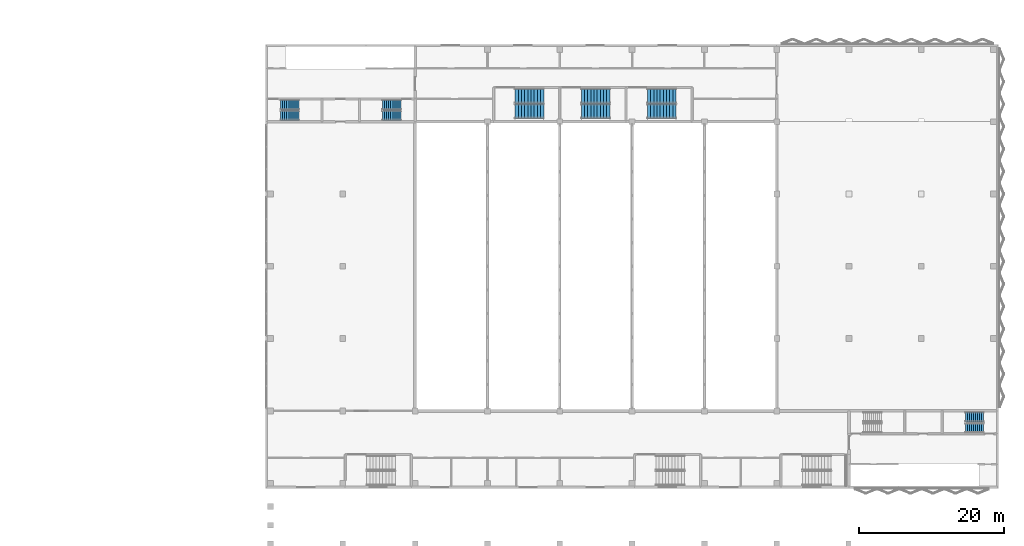
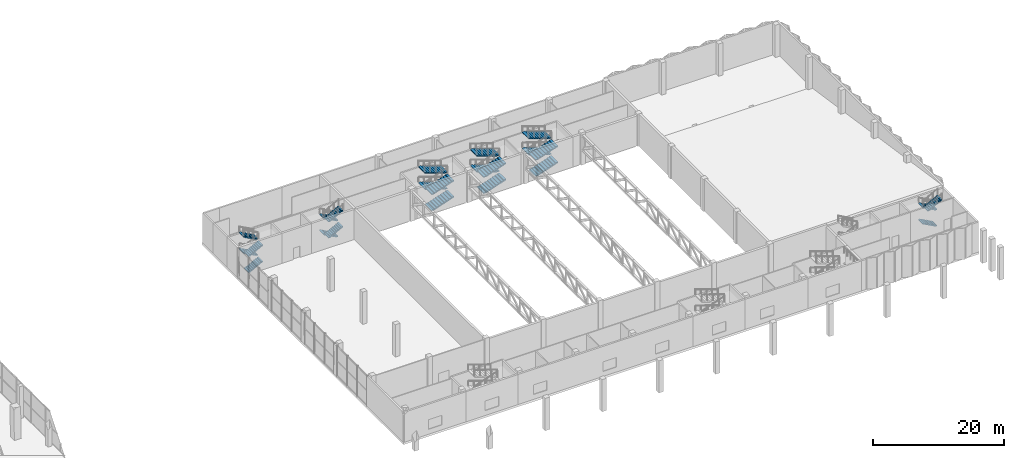
# One storey, part 38 of 51: 23 stair flights, 6 elements without a shape of their own.
"""IFC4 building model written with IfcOpenShell, lengths in metres."""

from ifc_helpers import new_model, si_unit, direction, frame, origin, place, context, subcontext, project, spatial, polyline, outline, extrude, material, type_object, element, aggregate, save


model = new_model("IFC4")

# Units and contexts
model_context = context("Model", 3, precision=1e-05, world=origin(), true_north=direction((0.0, 1.0)))
body_context = subcontext(model_context, "Body", "Model", "MODEL_VIEW")
ifc_project = project(units=[si_unit("LENGTHUNIT", "METRE"), si_unit("AREAUNIT", "SQUARE_METRE"), si_unit("VOLUMEUNIT", "CUBIC_METRE"), si_unit("PLANEANGLEUNIT", "RADIAN"), si_unit("MASSUNIT", "GRAM", prefix="KILO")], contexts=[model_context])

# Site, building, storey
site_placement = place(None, origin())
site = spatial("IfcSite", under=ifc_project, at=site_placement, CompositionType="ELEMENT")
building_placement = place(site_placement, origin())
building = spatial("IfcBuilding", under=site, at=building_placement, Name="Jabali Bay Hotel Tower and Convention Centre", CompositionType="ELEMENT")
storey_placement = place(building_placement, frame((0.0, 0.0, 9.0)))
storey = spatial("IfcBuildingStorey", under=building, at=storey_placement, Name="L01", CompositionType="ELEMENT", Elevation=9.0)

# Stair, stair flights
ifc_material = material(Name="Concrete C40", Category="concrete")
stair_type = type_object("IfcStairType", Name="CC Dogleg Stair 1350", PredefinedType="HALF_TURN_STAIR", material=ifc_material)
stair_1_placement = place(storey_placement, origin())
stair_1 = element("IfcStair", 1, at=stair_1_placement, inside=storey, type_object=stair_type, Name="L01 West stair A", PredefinedType="HALF_TURN_STAIR")
stair_flight_type = type_object("IfcStairFlightType", Name="CC Stair Flight 1350", PredefinedType="STRAIGHT", material=ifc_material)
stair_flight_1_placement = place(storey_placement, frame((152.10009765625, 100.85009765625, 0.0), z_axis=(0.0, 0.0, 1.0), x_axis=(1.0, 0.0, 0.0)))
stair_flight_1 = element("IfcStairFlight", 2, at=stair_flight_1_placement, type_object=stair_flight_type, Name="CC-STWA flight 1", NumberOfRisers=10, NumberOfTreads=9, PredefinedType="STRAIGHT", RiserHeight=0.15, TreadLength=0.28, context=body_context, shape_type="SweptSolid", body=[
    extrude(outline(polyline([(0.0, 0.0), (0.0, 0.14990234375), (0.280029296875, 0.14990234375), (0.280029296875, 0.300048828125), (0.56005859375, 0.300048828125), (0.56005859375, 0.449951171875), (0.840087890625, 0.449951171875), (0.840087890625, 0.60009765625), (1.1201171875, 0.60009765625), (1.1201171875, 0.75), (1.39990234375, 0.75), (1.39990234375, 0.89990234375), (1.679931640625, 0.89990234375), (1.679931640625, 1.050048828125), (1.9599609375, 1.050048828125), (1.9599609375, 1.199951171875), (2.239990234375, 1.199951171875), (2.239990234375, 1.35009765625), (2.52001953125, 1.35009765625), (2.52001953125, 1.5), (2.52001953125, 1.179931640625), (0.3173828125, 0.0), (0.0, 0.0)])), frame((0.0, 0.675048828125, 0.0), z_axis=(0.0, -1.0, 0.0), x_axis=(1.0, 0.0, 0.0)), (0.0, 0.0, 1.0), 1.35009765625),
])
stair_flight_2_placement = place(storey_placement, frame((154.6201171875, 102.35009765625, 1.5), z_axis=(0.0, 0.0, 1.0), x_axis=(-1.0, 0.0, 0.0)))
stair_flight_2 = element("IfcStairFlight", 3, at=stair_flight_2_placement, type_object=stair_flight_type, Name="CC-STWA flight 2", NumberOfRisers=10, NumberOfTreads=9, PredefinedType="STRAIGHT", RiserHeight=0.15, TreadLength=0.28, context=body_context, shape_type="SweptSolid", body=[
    extrude(outline(polyline([(0.0, 0.0), (0.0, 0.14990234375), (0.280029296875, 0.14990234375), (0.280029296875, 0.300048828125), (0.56005859375, 0.300048828125), (0.56005859375, 0.449951171875), (0.840087890625, 0.449951171875), (0.840087890625, 0.60009765625), (1.1201171875, 0.60009765625), (1.1201171875, 0.75), (1.39990234375, 0.75), (1.39990234375, 0.89990234375), (1.679931640625, 0.89990234375), (1.679931640625, 1.050048828125), (1.9599609375, 1.050048828125), (1.9599609375, 1.199951171875), (2.239990234375, 1.199951171875), (2.239990234375, 1.35009765625), (2.52001953125, 1.35009765625), (2.52001953125, 1.5), (2.52001953125, 1.179931640625), (0.3173828125, 0.0), (0.0, 0.0)])), frame((0.0, 0.675048828125, 0.0), z_axis=(0.0, -1.0, 0.0), x_axis=(1.0, 0.0, 0.0)), (0.0, 0.0, 1.0), 1.35009765625),
])
stair_flight_3_placement = place(storey_placement, frame((152.10009765625, 100.85009765625, 3.0), z_axis=(0.0, 0.0, 1.0), x_axis=(1.0, 0.0, 0.0)))
stair_flight_3 = element("IfcStairFlight", 4, at=stair_flight_3_placement, type_object=stair_flight_type, Name="CC-STWA flight 3", NumberOfRisers=10, NumberOfTreads=9, PredefinedType="STRAIGHT", RiserHeight=0.15, TreadLength=0.28, context=body_context, shape_type="SweptSolid", body=[
    extrude(outline(polyline([(0.0, 0.0), (0.0, 0.14990234375), (0.280029296875, 0.14990234375), (0.280029296875, 0.300048828125), (0.56005859375, 0.300048828125), (0.56005859375, 0.449951171875), (0.840087890625, 0.449951171875), (0.840087890625, 0.60009765625), (1.1201171875, 0.60009765625), (1.1201171875, 0.75), (1.39990234375, 0.75), (1.39990234375, 0.89990234375), (1.679931640625, 0.89990234375), (1.679931640625, 1.050048828125), (1.9599609375, 1.050048828125), (1.9599609375, 1.199951171875), (2.239990234375, 1.199951171875), (2.239990234375, 1.35009765625), (2.52001953125, 1.35009765625), (2.52001953125, 1.5), (2.52001953125, 1.179931640625), (0.3173828125, 0.0), (0.0, 0.0)])), frame((0.0, 0.675048828125, 0.0), z_axis=(0.0, -1.0, 0.0), x_axis=(1.0, 0.0, 0.0)), (0.0, 0.0, 1.0), 1.35009765625),
])
stair_flight_4_placement = place(storey_placement, frame((154.6201171875, 102.35009765625, 4.5), z_axis=(0.0, 0.0, 1.0), x_axis=(-1.0, 0.0, 0.0)))
stair_flight_4 = element("IfcStairFlight", 5, at=stair_flight_4_placement, type_object=stair_flight_type, Name="CC-STWA flight 4", NumberOfRisers=10, NumberOfTreads=9, PredefinedType="STRAIGHT", RiserHeight=0.15, TreadLength=0.28, context=body_context, shape_type="SweptSolid", body=[
    extrude(outline(polyline([(0.0, 0.0), (0.0, 0.14990234375), (0.280029296875, 0.14990234375), (0.280029296875, 0.300048828125), (0.56005859375, 0.300048828125), (0.56005859375, 0.449951171875), (0.840087890625, 0.449951171875), (0.840087890625, 0.60009765625), (1.1201171875, 0.60009765625), (1.1201171875, 0.75), (1.39990234375, 0.75), (1.39990234375, 0.89990234375), (1.679931640625, 0.89990234375), (1.679931640625, 1.050048828125), (1.9599609375, 1.050048828125), (1.9599609375, 1.199951171875), (2.239990234375, 1.199951171875), (2.239990234375, 1.35009765625), (2.52001953125, 1.35009765625), (2.52001953125, 1.5), (2.52001953125, 1.179931640625), (0.3173828125, 0.0), (0.0, 0.0)])), frame((0.0, 0.675048828125, 0.0), z_axis=(0.0, -1.0, 0.0), x_axis=(1.0, 0.0, 0.0)), (0.0, 0.0, 1.0), 1.35009765625),
])
aggregate(stair_1, [stair_flight_1, stair_flight_2, stair_flight_3, stair_flight_4])

stair_2_placement = place(storey_placement, origin())
stair_2 = element("IfcStair", 6, at=stair_2_placement, inside=storey, type_object=stair_type, Name="L01 West stair B", PredefinedType="HALF_TURN_STAIR")
stair_flight_5_placement = place(storey_placement, frame((168.72509765625, 102.35009765625, 0.0), z_axis=(0.0, 0.0, 1.0), x_axis=(-1.0, 0.0, 0.0)))
stair_flight_5 = element("IfcStairFlight", 7, at=stair_flight_5_placement, type_object=stair_flight_type, Name="CC-STWB flight 1", NumberOfRisers=10, NumberOfTreads=9, PredefinedType="STRAIGHT", RiserHeight=0.15, TreadLength=0.28, context=body_context, shape_type="SweptSolid", body=[
    extrude(outline(polyline([(0.0, 0.0), (0.0, 0.14990234375), (0.280029296875, 0.14990234375), (0.280029296875, 0.300048828125), (0.56005859375, 0.300048828125), (0.56005859375, 0.449951171875), (0.840087890625, 0.449951171875), (0.840087890625, 0.60009765625), (1.1201171875, 0.60009765625), (1.1201171875, 0.75), (1.39990234375, 0.75), (1.39990234375, 0.89990234375), (1.679931640625, 0.89990234375), (1.679931640625, 1.050048828125), (1.9599609375, 1.050048828125), (1.9599609375, 1.199951171875), (2.239990234375, 1.199951171875), (2.239990234375, 1.35009765625), (2.52001953125, 1.35009765625), (2.52001953125, 1.5), (2.52001953125, 1.179931640625), (0.3173828125, 0.0), (0.0, 0.0)])), frame((0.0, 0.675048828125, 0.0), z_axis=(0.0, -1.0, 0.0), x_axis=(1.0, 0.0, 0.0)), (0.0, 0.0, 1.0), 1.35009765625),
])
stair_flight_6_placement = place(storey_placement, frame((166.205078125, 100.85009765625, 1.5), z_axis=(0.0, 0.0, 1.0), x_axis=(1.0, 0.0, 0.0)))
stair_flight_6 = element("IfcStairFlight", 8, at=stair_flight_6_placement, type_object=stair_flight_type, Name="CC-STWB flight 2", NumberOfRisers=10, NumberOfTreads=9, PredefinedType="STRAIGHT", RiserHeight=0.15, TreadLength=0.28, context=body_context, shape_type="SweptSolid", body=[
    extrude(outline(polyline([(0.0, 0.0), (0.0, 0.14990234375), (0.280029296875, 0.14990234375), (0.280029296875, 0.300048828125), (0.56005859375, 0.300048828125), (0.56005859375, 0.449951171875), (0.840087890625, 0.449951171875), (0.840087890625, 0.60009765625), (1.1201171875, 0.60009765625), (1.1201171875, 0.75), (1.39990234375, 0.75), (1.39990234375, 0.89990234375), (1.679931640625, 0.89990234375), (1.679931640625, 1.050048828125), (1.9599609375, 1.050048828125), (1.9599609375, 1.199951171875), (2.239990234375, 1.199951171875), (2.239990234375, 1.35009765625), (2.52001953125, 1.35009765625), (2.52001953125, 1.5), (2.52001953125, 1.179931640625), (0.3173828125, 0.0), (0.0, 0.0)])), frame((0.0, 0.675048828125, 0.0), z_axis=(0.0, -1.0, 0.0), x_axis=(1.0, 0.0, 0.0)), (0.0, 0.0, 1.0), 1.35009765625),
])
stair_flight_7_placement = place(storey_placement, frame((168.72509765625, 102.35009765625, 3.0), z_axis=(0.0, 0.0, 1.0), x_axis=(-1.0, 0.0, 0.0)))
stair_flight_7 = element("IfcStairFlight", 9, at=stair_flight_7_placement, type_object=stair_flight_type, Name="CC-STWB flight 3", NumberOfRisers=10, NumberOfTreads=9, PredefinedType="STRAIGHT", RiserHeight=0.15, TreadLength=0.28, context=body_context, shape_type="SweptSolid", body=[
    extrude(outline(polyline([(0.0, 0.0), (0.0, 0.14990234375), (0.280029296875, 0.14990234375), (0.280029296875, 0.300048828125), (0.56005859375, 0.300048828125), (0.56005859375, 0.449951171875), (0.840087890625, 0.449951171875), (0.840087890625, 0.60009765625), (1.1201171875, 0.60009765625), (1.1201171875, 0.75), (1.39990234375, 0.75), (1.39990234375, 0.89990234375), (1.679931640625, 0.89990234375), (1.679931640625, 1.050048828125), (1.9599609375, 1.050048828125), (1.9599609375, 1.199951171875), (2.239990234375, 1.199951171875), (2.239990234375, 1.35009765625), (2.52001953125, 1.35009765625), (2.52001953125, 1.5), (2.52001953125, 1.179931640625), (0.3173828125, 0.0), (0.0, 0.0)])), frame((0.0, 0.675048828125, 0.0), z_axis=(0.0, -1.0, 0.0), x_axis=(1.0, 0.0, 0.0)), (0.0, 0.0, 1.0), 1.35009765625),
])
stair_flight_8_placement = place(storey_placement, frame((166.205078125, 100.85009765625, 4.5), z_axis=(0.0, 0.0, 1.0), x_axis=(1.0, 0.0, 0.0)))
stair_flight_8 = element("IfcStairFlight", 10, at=stair_flight_8_placement, type_object=stair_flight_type, Name="CC-STWB flight 4", NumberOfRisers=10, NumberOfTreads=9, PredefinedType="STRAIGHT", RiserHeight=0.15, TreadLength=0.28, context=body_context, shape_type="SweptSolid", body=[
    extrude(outline(polyline([(0.0, 0.0), (0.0, 0.14990234375), (0.280029296875, 0.14990234375), (0.280029296875, 0.300048828125), (0.56005859375, 0.300048828125), (0.56005859375, 0.449951171875), (0.840087890625, 0.449951171875), (0.840087890625, 0.60009765625), (1.1201171875, 0.60009765625), (1.1201171875, 0.75), (1.39990234375, 0.75), (1.39990234375, 0.89990234375), (1.679931640625, 0.89990234375), (1.679931640625, 1.050048828125), (1.9599609375, 1.050048828125), (1.9599609375, 1.199951171875), (2.239990234375, 1.199951171875), (2.239990234375, 1.35009765625), (2.52001953125, 1.35009765625), (2.52001953125, 1.5), (2.52001953125, 1.179931640625), (0.3173828125, 0.0), (0.0, 0.0)])), frame((0.0, 0.675048828125, 0.0), z_axis=(0.0, -1.0, 0.0), x_axis=(1.0, 0.0, 0.0)), (0.0, 0.0, 1.0), 1.35009765625),
])
aggregate(stair_2, [stair_flight_5, stair_flight_6, stair_flight_7, stair_flight_8])

stair_3_placement = place(storey_placement, origin())
stair_3 = element("IfcStair", 11, at=stair_3_placement, inside=storey, type_object=stair_type, Name="L01 East stair A", PredefinedType="HALF_TURN_STAIR")
stair_flight_9_placement = place(storey_placement, frame((249.300048828125, 59.14990234375, 0.0), z_axis=(0.0, 0.0, 1.0), x_axis=(-1.0, 0.0, 0.0)))
stair_flight_9 = element("IfcStairFlight", 12, at=stair_flight_9_placement, type_object=stair_flight_type, Name="CC-STEA flight 1", NumberOfRisers=10, NumberOfTreads=9, PredefinedType="STRAIGHT", RiserHeight=0.15, TreadLength=0.28, context=body_context, shape_type="SweptSolid", body=[
    extrude(outline(polyline([(0.0, 0.0), (0.0, 0.14990234375), (0.280029296875, 0.14990234375), (0.280029296875, 0.300048828125), (0.56005859375, 0.300048828125), (0.56005859375, 0.449951171875), (0.840087890625, 0.449951171875), (0.840087890625, 0.60009765625), (1.1201171875, 0.60009765625), (1.1201171875, 0.75), (1.39990234375, 0.75), (1.39990234375, 0.89990234375), (1.679931640625, 0.89990234375), (1.679931640625, 1.050048828125), (1.9599609375, 1.050048828125), (1.9599609375, 1.199951171875), (2.239990234375, 1.199951171875), (2.239990234375, 1.35009765625), (2.52001953125, 1.35009765625), (2.52001953125, 1.5), (2.52001953125, 1.179931640625), (0.3173828125, 0.0), (0.0, 0.0)])), frame((0.0, 0.675048828125, 0.0), z_axis=(0.0, -1.0, 0.0), x_axis=(1.0, 0.0, 0.0)), (0.0, 0.0, 1.0), 1.35009765625),
])
stair_flight_10_placement = place(storey_placement, frame((249.300048828125, 59.14990234375, 3.0), z_axis=(0.0, 0.0, 1.0), x_axis=(-1.0, 0.0, 0.0)))
stair_flight_10 = element("IfcStairFlight", 13, at=stair_flight_10_placement, type_object=stair_flight_type, Name="CC-STEA flight 3", NumberOfRisers=10, NumberOfTreads=9, PredefinedType="STRAIGHT", RiserHeight=0.15, TreadLength=0.28, context=body_context, shape_type="SweptSolid", body=[
    extrude(outline(polyline([(0.0, 0.0), (0.0, 0.14990234375), (0.280029296875, 0.14990234375), (0.280029296875, 0.300048828125), (0.56005859375, 0.300048828125), (0.56005859375, 0.449951171875), (0.840087890625, 0.449951171875), (0.840087890625, 0.60009765625), (1.1201171875, 0.60009765625), (1.1201171875, 0.75), (1.39990234375, 0.75), (1.39990234375, 0.89990234375), (1.679931640625, 0.89990234375), (1.679931640625, 1.050048828125), (1.9599609375, 1.050048828125), (1.9599609375, 1.199951171875), (2.239990234375, 1.199951171875), (2.239990234375, 1.35009765625), (2.52001953125, 1.35009765625), (2.52001953125, 1.5), (2.52001953125, 1.179931640625), (0.3173828125, 0.0), (0.0, 0.0)])), frame((0.0, 0.675048828125, 0.0), z_axis=(0.0, -1.0, 0.0), x_axis=(1.0, 0.0, 0.0)), (0.0, 0.0, 1.0), 1.35009765625),
])
stair_flight_11_placement = place(storey_placement, frame((246.780029296875, 57.64990234375, 4.5), z_axis=(0.0, 0.0, 1.0), x_axis=(1.0, 0.0, 0.0)))
stair_flight_11 = element("IfcStairFlight", 14, at=stair_flight_11_placement, type_object=stair_flight_type, Name="CC-STEA flight 4", NumberOfRisers=10, NumberOfTreads=9, PredefinedType="STRAIGHT", RiserHeight=0.15, TreadLength=0.28, context=body_context, shape_type="SweptSolid", body=[
    extrude(outline(polyline([(0.0, 0.0), (0.0, 0.14990234375), (0.280029296875, 0.14990234375), (0.280029296875, 0.300048828125), (0.56005859375, 0.300048828125), (0.56005859375, 0.449951171875), (0.840087890625, 0.449951171875), (0.840087890625, 0.60009765625), (1.1201171875, 0.60009765625), (1.1201171875, 0.75), (1.39990234375, 0.75), (1.39990234375, 0.89990234375), (1.679931640625, 0.89990234375), (1.679931640625, 1.050048828125), (1.9599609375, 1.050048828125), (1.9599609375, 1.199951171875), (2.239990234375, 1.199951171875), (2.239990234375, 1.35009765625), (2.52001953125, 1.35009765625), (2.52001953125, 1.5), (2.52001953125, 1.179931640625), (0.3173828125, 0.0), (0.0, 0.0)])), frame((0.0, 0.675048828125, 0.0), z_axis=(0.0, -1.0, 0.0), x_axis=(1.0, 0.0, 0.0)), (0.0, 0.0, 1.0), 1.35009765625),
])
aggregate(stair_3, [stair_flight_9, stair_flight_10, stair_flight_11])

stair_4_placement = place(storey_placement, origin())
stair_4 = element("IfcStair", 15, at=stair_4_placement, inside=storey, type_object=stair_type, Name="L01 North Exit Stair 1", PredefinedType="HALF_TURN_STAIR")
stair_flight_12_placement = place(storey_placement, frame((184.52490234375, 101.449951171875, 0.0), z_axis=(0.0, 0.0, 1.0), x_axis=(1.0, 0.0, 0.0)))
stair_flight_12 = element("IfcStairFlight", 16, at=stair_flight_12_placement, type_object=stair_flight_type, Name="CC-STN1 flight 1", NumberOfRisers=10, NumberOfTreads=9, PredefinedType="STRAIGHT", RiserHeight=0.15, TreadLength=0.44, context=body_context, shape_type="SweptSolid", body=[
    extrude(outline(polyline([(0.0, 0.0), (0.0, 0.14990234375), (0.43994140625, 0.14990234375), (0.43994140625, 0.300048828125), (0.8798828125, 0.300048828125), (0.8798828125, 0.449951171875), (1.320068359375, 0.449951171875), (1.320068359375, 0.60009765625), (1.760009765625, 0.60009765625), (1.760009765625, 0.75), (2.199951171875, 0.75), (2.199951171875, 0.89990234375), (2.639892578125, 0.89990234375), (2.639892578125, 1.050048828125), (3.080078125, 1.050048828125), (3.080078125, 1.199951171875), (3.52001953125, 1.199951171875), (3.52001953125, 1.35009765625), (3.9599609375, 1.35009765625), (3.9599609375, 1.5), (3.9599609375, 1.191650390625), (0.464599609375, 0.0), (0.0, 0.0)])), frame((0.0, 1.0, 0.0), z_axis=(0.0, -1.0, 0.0), x_axis=(1.0, 0.0, 0.0)), (0.0, 0.0, 1.0), 2.0),
])
stair_flight_13_placement = place(storey_placement, frame((188.485107421875, 103.550048828125, 1.5), z_axis=(0.0, 0.0, 1.0), x_axis=(-1.0, 0.0, 0.0)))
stair_flight_13 = element("IfcStairFlight", 17, at=stair_flight_13_placement, type_object=stair_flight_type, Name="CC-STN1 flight 2", NumberOfRisers=10, NumberOfTreads=9, PredefinedType="STRAIGHT", RiserHeight=0.15, TreadLength=0.44, context=body_context, shape_type="SweptSolid", body=[
    extrude(outline(polyline([(0.0, 0.0), (0.0, 0.14990234375), (0.43994140625, 0.14990234375), (0.43994140625, 0.300048828125), (0.8798828125, 0.300048828125), (0.8798828125, 0.449951171875), (1.320068359375, 0.449951171875), (1.320068359375, 0.60009765625), (1.760009765625, 0.60009765625), (1.760009765625, 0.75), (2.199951171875, 0.75), (2.199951171875, 0.89990234375), (2.639892578125, 0.89990234375), (2.639892578125, 1.050048828125), (3.080078125, 1.050048828125), (3.080078125, 1.199951171875), (3.52001953125, 1.199951171875), (3.52001953125, 1.35009765625), (3.9599609375, 1.35009765625), (3.9599609375, 1.5), (3.9599609375, 1.191650390625), (0.464599609375, 0.0), (0.0, 0.0)])), frame((0.0, 1.0, 0.0), z_axis=(0.0, -1.0, 0.0), x_axis=(1.0, 0.0, 0.0)), (0.0, 0.0, 1.0), 2.0),
])
stair_flight_14_placement = place(storey_placement, frame((184.52490234375, 101.449951171875, 3.0), z_axis=(0.0, 0.0, 1.0), x_axis=(1.0, 0.0, 0.0)))
stair_flight_14 = element("IfcStairFlight", 18, at=stair_flight_14_placement, type_object=stair_flight_type, Name="CC-STN1 flight 3", NumberOfRisers=10, NumberOfTreads=9, PredefinedType="STRAIGHT", RiserHeight=0.15, TreadLength=0.44, context=body_context, shape_type="SweptSolid", body=[
    extrude(outline(polyline([(0.0, 0.0), (0.0, 0.14990234375), (0.43994140625, 0.14990234375), (0.43994140625, 0.300048828125), (0.8798828125, 0.300048828125), (0.8798828125, 0.449951171875), (1.320068359375, 0.449951171875), (1.320068359375, 0.60009765625), (1.760009765625, 0.60009765625), (1.760009765625, 0.75), (2.199951171875, 0.75), (2.199951171875, 0.89990234375), (2.639892578125, 0.89990234375), (2.639892578125, 1.050048828125), (3.080078125, 1.050048828125), (3.080078125, 1.199951171875), (3.52001953125, 1.199951171875), (3.52001953125, 1.35009765625), (3.9599609375, 1.35009765625), (3.9599609375, 1.5), (3.9599609375, 1.191650390625), (0.464599609375, 0.0), (0.0, 0.0)])), frame((0.0, 1.0, 0.0), z_axis=(0.0, -1.0, 0.0), x_axis=(1.0, 0.0, 0.0)), (0.0, 0.0, 1.0), 2.0),
])
stair_flight_15_placement = place(storey_placement, frame((188.485107421875, 103.550048828125, 4.5), z_axis=(0.0, 0.0, 1.0), x_axis=(-1.0, 0.0, 0.0)))
stair_flight_15 = element("IfcStairFlight", 19, at=stair_flight_15_placement, type_object=stair_flight_type, Name="CC-STN1 flight 4", NumberOfRisers=10, NumberOfTreads=9, PredefinedType="STRAIGHT", RiserHeight=0.15, TreadLength=0.44, context=body_context, shape_type="SweptSolid", body=[
    extrude(outline(polyline([(0.0, 0.0), (0.0, 0.14990234375), (0.43994140625, 0.14990234375), (0.43994140625, 0.300048828125), (0.8798828125, 0.300048828125), (0.8798828125, 0.449951171875), (1.320068359375, 0.449951171875), (1.320068359375, 0.60009765625), (1.760009765625, 0.60009765625), (1.760009765625, 0.75), (2.199951171875, 0.75), (2.199951171875, 0.89990234375), (2.639892578125, 0.89990234375), (2.639892578125, 1.050048828125), (3.080078125, 1.050048828125), (3.080078125, 1.199951171875), (3.52001953125, 1.199951171875), (3.52001953125, 1.35009765625), (3.9599609375, 1.35009765625), (3.9599609375, 1.5), (3.9599609375, 1.191650390625), (0.464599609375, 0.0), (0.0, 0.0)])), frame((0.0, 1.0, 0.0), z_axis=(0.0, -1.0, 0.0), x_axis=(1.0, 0.0, 0.0)), (0.0, 0.0, 1.0), 2.0),
])
aggregate(stair_4, [stair_flight_12, stair_flight_13, stair_flight_14, stair_flight_15])

stair_5_placement = place(storey_placement, origin())
stair_5 = element("IfcStair", 20, at=stair_5_placement, inside=storey, type_object=stair_type, Name="L01 North Exit Stair 2", PredefinedType="HALF_TURN_STAIR")
stair_flight_16_placement = place(storey_placement, frame((193.675048828125, 101.449951171875, 0.0), z_axis=(0.0, 0.0, 1.0), x_axis=(1.0, 0.0, 0.0)))
stair_flight_16 = element("IfcStairFlight", 21, at=stair_flight_16_placement, type_object=stair_flight_type, Name="CC-STN2 flight 1", NumberOfRisers=10, NumberOfTreads=9, PredefinedType="STRAIGHT", RiserHeight=0.15, TreadLength=0.44, context=body_context, shape_type="SweptSolid", body=[
    extrude(outline(polyline([(0.0, 0.0), (0.0, 0.14990234375), (0.43994140625, 0.14990234375), (0.43994140625, 0.300048828125), (0.8798828125, 0.300048828125), (0.8798828125, 0.449951171875), (1.320068359375, 0.449951171875), (1.320068359375, 0.60009765625), (1.760009765625, 0.60009765625), (1.760009765625, 0.75), (2.199951171875, 0.75), (2.199951171875, 0.89990234375), (2.639892578125, 0.89990234375), (2.639892578125, 1.050048828125), (3.080078125, 1.050048828125), (3.080078125, 1.199951171875), (3.52001953125, 1.199951171875), (3.52001953125, 1.35009765625), (3.9599609375, 1.35009765625), (3.9599609375, 1.5), (3.9599609375, 1.191650390625), (0.464599609375, 0.0), (0.0, 0.0)])), frame((0.0, 1.0, 0.0), z_axis=(0.0, -1.0, 0.0), x_axis=(1.0, 0.0, 0.0)), (0.0, 0.0, 1.0), 2.0),
])
stair_flight_17_placement = place(storey_placement, frame((197.635009765625, 103.550048828125, 1.5), z_axis=(0.0, 0.0, 1.0), x_axis=(-1.0, 0.0, 0.0)))
stair_flight_17 = element("IfcStairFlight", 22, at=stair_flight_17_placement, type_object=stair_flight_type, Name="CC-STN2 flight 2", NumberOfRisers=10, NumberOfTreads=9, PredefinedType="STRAIGHT", RiserHeight=0.15, TreadLength=0.44, context=body_context, shape_type="SweptSolid", body=[
    extrude(outline(polyline([(0.0, 0.0), (0.0, 0.14990234375), (0.43994140625, 0.14990234375), (0.43994140625, 0.300048828125), (0.8798828125, 0.300048828125), (0.8798828125, 0.449951171875), (1.320068359375, 0.449951171875), (1.320068359375, 0.60009765625), (1.760009765625, 0.60009765625), (1.760009765625, 0.75), (2.199951171875, 0.75), (2.199951171875, 0.89990234375), (2.639892578125, 0.89990234375), (2.639892578125, 1.050048828125), (3.080078125, 1.050048828125), (3.080078125, 1.199951171875), (3.52001953125, 1.199951171875), (3.52001953125, 1.35009765625), (3.9599609375, 1.35009765625), (3.9599609375, 1.5), (3.9599609375, 1.191650390625), (0.464599609375, 0.0), (0.0, 0.0)])), frame((0.0, 1.0, 0.0), z_axis=(0.0, -1.0, 0.0), x_axis=(1.0, 0.0, 0.0)), (0.0, 0.0, 1.0), 2.0),
])
stair_flight_18_placement = place(storey_placement, frame((193.675048828125, 101.449951171875, 3.0), z_axis=(0.0, 0.0, 1.0), x_axis=(1.0, 0.0, 0.0)))
stair_flight_18 = element("IfcStairFlight", 23, at=stair_flight_18_placement, type_object=stair_flight_type, Name="CC-STN2 flight 3", NumberOfRisers=10, NumberOfTreads=9, PredefinedType="STRAIGHT", RiserHeight=0.15, TreadLength=0.44, context=body_context, shape_type="SweptSolid", body=[
    extrude(outline(polyline([(0.0, 0.0), (0.0, 0.14990234375), (0.43994140625, 0.14990234375), (0.43994140625, 0.300048828125), (0.8798828125, 0.300048828125), (0.8798828125, 0.449951171875), (1.320068359375, 0.449951171875), (1.320068359375, 0.60009765625), (1.760009765625, 0.60009765625), (1.760009765625, 0.75), (2.199951171875, 0.75), (2.199951171875, 0.89990234375), (2.639892578125, 0.89990234375), (2.639892578125, 1.050048828125), (3.080078125, 1.050048828125), (3.080078125, 1.199951171875), (3.52001953125, 1.199951171875), (3.52001953125, 1.35009765625), (3.9599609375, 1.35009765625), (3.9599609375, 1.5), (3.9599609375, 1.191650390625), (0.464599609375, 0.0), (0.0, 0.0)])), frame((0.0, 1.0, 0.0), z_axis=(0.0, -1.0, 0.0), x_axis=(1.0, 0.0, 0.0)), (0.0, 0.0, 1.0), 2.0),
])
stair_flight_19_placement = place(storey_placement, frame((197.635009765625, 103.550048828125, 4.5), z_axis=(0.0, 0.0, 1.0), x_axis=(-1.0, 0.0, 0.0)))
stair_flight_19 = element("IfcStairFlight", 24, at=stair_flight_19_placement, type_object=stair_flight_type, Name="CC-STN2 flight 4", NumberOfRisers=10, NumberOfTreads=9, PredefinedType="STRAIGHT", RiserHeight=0.15, TreadLength=0.44, context=body_context, shape_type="SweptSolid", body=[
    extrude(outline(polyline([(0.0, 0.0), (0.0, 0.14990234375), (0.43994140625, 0.14990234375), (0.43994140625, 0.300048828125), (0.8798828125, 0.300048828125), (0.8798828125, 0.449951171875), (1.320068359375, 0.449951171875), (1.320068359375, 0.60009765625), (1.760009765625, 0.60009765625), (1.760009765625, 0.75), (2.199951171875, 0.75), (2.199951171875, 0.89990234375), (2.639892578125, 0.89990234375), (2.639892578125, 1.050048828125), (3.080078125, 1.050048828125), (3.080078125, 1.199951171875), (3.52001953125, 1.199951171875), (3.52001953125, 1.35009765625), (3.9599609375, 1.35009765625), (3.9599609375, 1.5), (3.9599609375, 1.191650390625), (0.464599609375, 0.0), (0.0, 0.0)])), frame((0.0, 1.0, 0.0), z_axis=(0.0, -1.0, 0.0), x_axis=(1.0, 0.0, 0.0)), (0.0, 0.0, 1.0), 2.0),
])
aggregate(stair_5, [stair_flight_16, stair_flight_17, stair_flight_18, stair_flight_19])

stair_6_placement = place(storey_placement, origin())
stair_6 = element("IfcStair", 25, at=stair_6_placement, inside=storey, type_object=stair_type, Name="L01 North Exit Stair 3", PredefinedType="HALF_TURN_STAIR")
stair_flight_20_placement = place(storey_placement, frame((202.824951171875, 101.449951171875, 0.0), z_axis=(0.0, 0.0, 1.0), x_axis=(1.0, 0.0, 0.0)))
stair_flight_20 = element("IfcStairFlight", 26, at=stair_flight_20_placement, type_object=stair_flight_type, Name="CC-STN3 flight 1", NumberOfRisers=10, NumberOfTreads=9, PredefinedType="STRAIGHT", RiserHeight=0.15, TreadLength=0.44, context=body_context, shape_type="SweptSolid", body=[
    extrude(outline(polyline([(0.0, 0.0), (0.0, 0.14990234375), (0.43994140625, 0.14990234375), (0.43994140625, 0.300048828125), (0.8798828125, 0.300048828125), (0.8798828125, 0.449951171875), (1.320068359375, 0.449951171875), (1.320068359375, 0.60009765625), (1.760009765625, 0.60009765625), (1.760009765625, 0.75), (2.199951171875, 0.75), (2.199951171875, 0.89990234375), (2.639892578125, 0.89990234375), (2.639892578125, 1.050048828125), (3.080078125, 1.050048828125), (3.080078125, 1.199951171875), (3.52001953125, 1.199951171875), (3.52001953125, 1.35009765625), (3.9599609375, 1.35009765625), (3.9599609375, 1.5), (3.9599609375, 1.191650390625), (0.464599609375, 0.0), (0.0, 0.0)])), frame((0.0, 1.0, 0.0), z_axis=(0.0, -1.0, 0.0), x_axis=(1.0, 0.0, 0.0)), (0.0, 0.0, 1.0), 2.0),
])
stair_flight_21_placement = place(storey_placement, frame((206.784912109375, 103.550048828125, 1.5), z_axis=(0.0, 0.0, 1.0), x_axis=(-1.0, 0.0, 0.0)))
stair_flight_21 = element("IfcStairFlight", 27, at=stair_flight_21_placement, type_object=stair_flight_type, Name="CC-STN3 flight 2", NumberOfRisers=10, NumberOfTreads=9, PredefinedType="STRAIGHT", RiserHeight=0.15, TreadLength=0.44, context=body_context, shape_type="SweptSolid", body=[
    extrude(outline(polyline([(0.0, 0.0), (0.0, 0.14990234375), (0.43994140625, 0.14990234375), (0.43994140625, 0.300048828125), (0.8798828125, 0.300048828125), (0.8798828125, 0.449951171875), (1.320068359375, 0.449951171875), (1.320068359375, 0.60009765625), (1.760009765625, 0.60009765625), (1.760009765625, 0.75), (2.199951171875, 0.75), (2.199951171875, 0.89990234375), (2.639892578125, 0.89990234375), (2.639892578125, 1.050048828125), (3.080078125, 1.050048828125), (3.080078125, 1.199951171875), (3.52001953125, 1.199951171875), (3.52001953125, 1.35009765625), (3.9599609375, 1.35009765625), (3.9599609375, 1.5), (3.9599609375, 1.191650390625), (0.464599609375, 0.0), (0.0, 0.0)])), frame((0.0, 1.0, 0.0), z_axis=(0.0, -1.0, 0.0), x_axis=(1.0, 0.0, 0.0)), (0.0, 0.0, 1.0), 2.0),
])
stair_flight_22_placement = place(storey_placement, frame((202.824951171875, 101.449951171875, 3.0), z_axis=(0.0, 0.0, 1.0), x_axis=(1.0, 0.0, 0.0)))
stair_flight_22 = element("IfcStairFlight", 28, at=stair_flight_22_placement, type_object=stair_flight_type, Name="CC-STN3 flight 3", NumberOfRisers=10, NumberOfTreads=9, PredefinedType="STRAIGHT", RiserHeight=0.15, TreadLength=0.44, context=body_context, shape_type="SweptSolid", body=[
    extrude(outline(polyline([(0.0, 0.0), (0.0, 0.14990234375), (0.43994140625, 0.14990234375), (0.43994140625, 0.300048828125), (0.8798828125, 0.300048828125), (0.8798828125, 0.449951171875), (1.320068359375, 0.449951171875), (1.320068359375, 0.60009765625), (1.760009765625, 0.60009765625), (1.760009765625, 0.75), (2.199951171875, 0.75), (2.199951171875, 0.89990234375), (2.639892578125, 0.89990234375), (2.639892578125, 1.050048828125), (3.080078125, 1.050048828125), (3.080078125, 1.199951171875), (3.52001953125, 1.199951171875), (3.52001953125, 1.35009765625), (3.9599609375, 1.35009765625), (3.9599609375, 1.5), (3.9599609375, 1.191650390625), (0.464599609375, 0.0), (0.0, 0.0)])), frame((0.0, 1.0, 0.0), z_axis=(0.0, -1.0, 0.0), x_axis=(1.0, 0.0, 0.0)), (0.0, 0.0, 1.0), 2.0),
])
stair_flight_23_placement = place(storey_placement, frame((206.784912109375, 103.550048828125, 4.5), z_axis=(0.0, 0.0, 1.0), x_axis=(-1.0, 0.0, 0.0)))
stair_flight_23 = element("IfcStairFlight", 29, at=stair_flight_23_placement, type_object=stair_flight_type, Name="CC-STN3 flight 4", NumberOfRisers=10, NumberOfTreads=9, PredefinedType="STRAIGHT", RiserHeight=0.15, TreadLength=0.44, context=body_context, shape_type="SweptSolid", body=[
    extrude(outline(polyline([(0.0, 0.0), (0.0, 0.14990234375), (0.43994140625, 0.14990234375), (0.43994140625, 0.300048828125), (0.8798828125, 0.300048828125), (0.8798828125, 0.449951171875), (1.320068359375, 0.449951171875), (1.320068359375, 0.60009765625), (1.760009765625, 0.60009765625), (1.760009765625, 0.75), (2.199951171875, 0.75), (2.199951171875, 0.89990234375), (2.639892578125, 0.89990234375), (2.639892578125, 1.050048828125), (3.080078125, 1.050048828125), (3.080078125, 1.199951171875), (3.52001953125, 1.199951171875), (3.52001953125, 1.35009765625), (3.9599609375, 1.35009765625), (3.9599609375, 1.5), (3.9599609375, 1.191650390625), (0.464599609375, 0.0), (0.0, 0.0)])), frame((0.0, 1.0, 0.0), z_axis=(0.0, -1.0, 0.0), x_axis=(1.0, 0.0, 0.0)), (0.0, 0.0, 1.0), 2.0),
])
aggregate(stair_6, [stair_flight_20, stair_flight_21, stair_flight_22, stair_flight_23])

save(model, "model.ifc")
